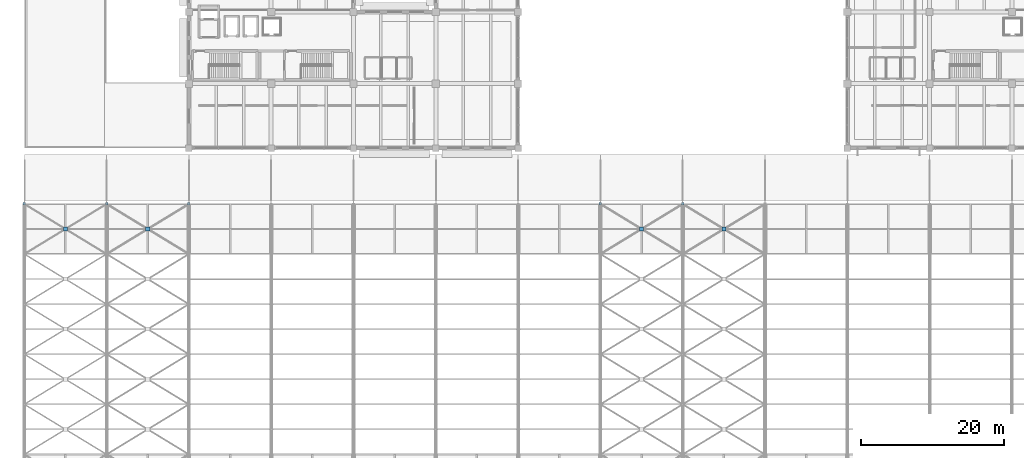
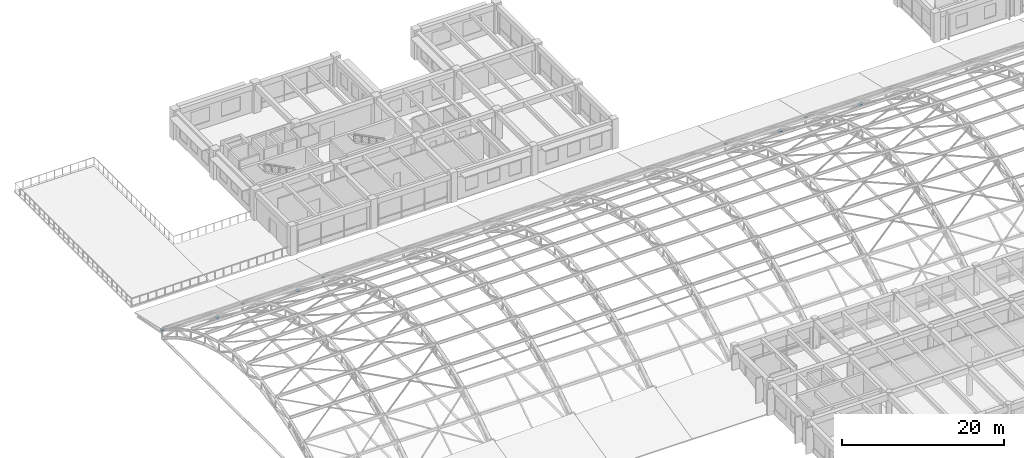
# One storey, part 148 of 154: 9 discrete accessories.
"""IFC4 building model written with IfcOpenShell, lengths in metres."""

from ifc_helpers import new_model, si_unit, direction, frame, origin, origin_2d, place, context, subcontext, project, spatial, rectangle, extrude, material, type_object, element, save


model = new_model("IFC4")

# Units and contexts
model_context = context("Model", 3, precision=1e-05, world=origin(), true_north=direction((0.0, 1.0)))
body_context = subcontext(model_context, "Body", "Model", "MODEL_VIEW")
ifc_project = project(units=[si_unit("LENGTHUNIT", "METRE"), si_unit("AREAUNIT", "SQUARE_METRE"), si_unit("VOLUMEUNIT", "CUBIC_METRE"), si_unit("PLANEANGLEUNIT", "RADIAN"), si_unit("MASSUNIT", "GRAM", prefix="KILO")], contexts=[model_context])

# Site, building, storey
site_placement = place(None, origin())
site = spatial("IfcSite", under=ifc_project, at=site_placement, CompositionType="ELEMENT")
building_placement = place(site_placement, origin())
building = spatial("IfcBuilding", under=site, at=building_placement, Name="Ologun Quay Terminus", CompositionType="ELEMENT")
storey_placement = place(building_placement, frame((0.0, 0.0, 13.800048828125)))
storey = spatial("IfcBuildingStorey", under=building, at=storey_placement, Name="L03", CompositionType="ELEMENT", Elevation=13.800048828125)

# Discrete accessories
ifc_material_1 = material(Name="Steel S355", Category="steel")
discrete_accessory_type_1 = type_object("IfcDiscreteAccessoryType", Name="Brace & Strut End Gusset Connection Plate 360x360x20", PredefinedType="BRACKET", material=ifc_material_1)
for number, where, z_axis, x_axis, name in (
    (1, (11.5, 78.0, 1.18994140625), (0.0, 0.0, 1.0), (1.0, 0.0, 0.0), "GUS-END Wind Brace End Gusset B1-K10-2"),
    (2, (0.0, 78.0, 1.18994140625), (0.0, 0.0, 1.0), (1.0, 0.0, 0.0), "GUS-END Wind Brace End Gusset B1-K10-3"),
    (3, (23.0, 78.0, 1.18994140625), (0.0, 0.0, 1.0), (1.0, 0.0, 0.0), "GUS-END Wind Brace End Gusset B2-K10-2"),
    (4, (92.0, 78.0, 1.18994140625), (0.0, 0.0, 1.0), (1.0, 0.0, 0.0), "GUS-END Wind Brace End Gusset B8-K10-2"),
    (5, (80.5, 78.0, 1.18994140625), (0.0, 0.0, 1.0), (1.0, 0.0, 0.0), "GUS-END Wind Brace End Gusset B8-K10-3"),
):
    element("IfcDiscreteAccessory", number, at=place(storey_placement, frame(where, z_axis=z_axis, x_axis=x_axis)), inside=storey, type_object=discrete_accessory_type_1, Name=name, PredefinedType="BRACKET", context=body_context, shape_type="SweptSolid", body=[
        extrude(rectangle(XDim=0.360107421875, YDim=0.360107421875, at=origin_2d()), origin(), (0.0, 0.0, 1.0), 0.02001953125),
    ])
ifc_material_2 = material(Name="Steel S355", Category="steel")
discrete_accessory_type_2 = type_object("IfcDiscreteAccessoryType", Name="X-Brace Central Gusset Node Plate 560x560x20", PredefinedType="BRACKET", material=ifc_material_2)
for number, where, z_axis, x_axis, name in (
    (6, (5.75, 74.5, 3.27880859375), (0.0, 0.0, 1.0), (1.0, 0.0, 0.0), "GUS-XB X-Brace Crossing Node Plate B1-K10"),
    (7, (17.25, 74.5, 3.27880859375), (0.0, 0.0, 1.0), (1.0, 0.0, 0.0), "GUS-XB X-Brace Crossing Node Plate B2-K10"),
    (8, (86.25, 74.5, 3.27880859375), (0.0, 0.0, 1.0), (1.0, 0.0, 0.0), "GUS-XB X-Brace Crossing Node Plate B8-K10"),
    (9, (97.75, 74.5, 3.27880859375), (0.0, 0.0, 1.0), (1.0, 0.0, 0.0), "GUS-XB X-Brace Crossing Node Plate B9-K10"),
):
    element("IfcDiscreteAccessory", number, at=place(storey_placement, frame(where, z_axis=z_axis, x_axis=x_axis)), inside=storey, type_object=discrete_accessory_type_2, Name=name, PredefinedType="BRACKET", context=body_context, shape_type="SweptSolid", body=[
        extrude(rectangle(XDim=0.56005859375, YDim=0.56005859375, at=origin_2d()), origin(), (0.0, 0.0, 1.0), 0.02001953125),
    ])

save(model, "model.ifc")
